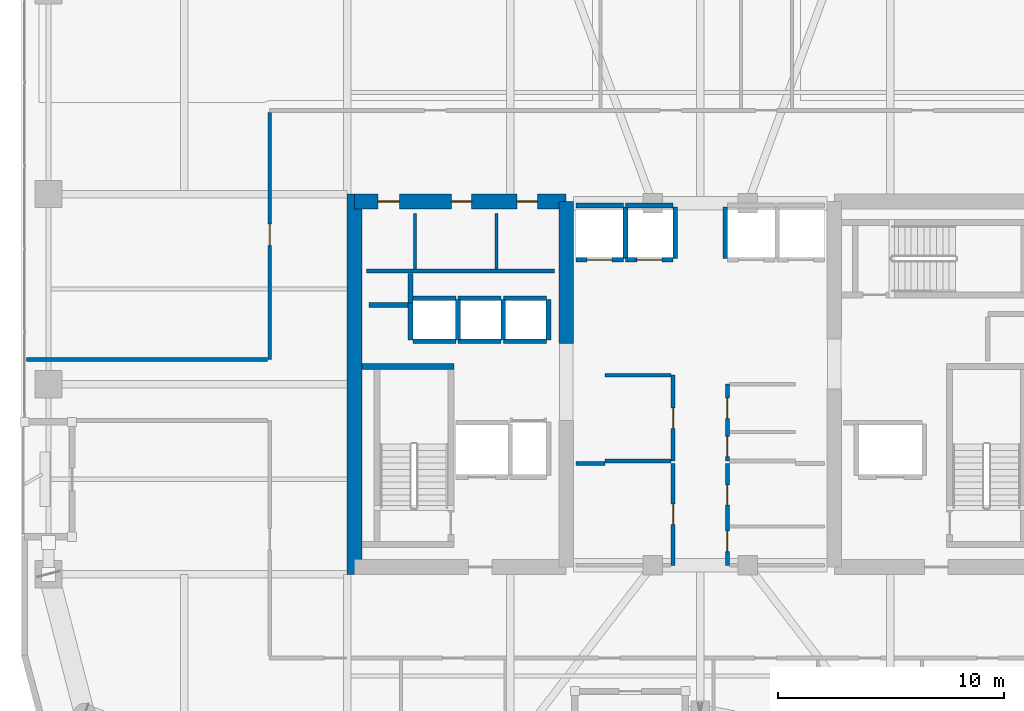
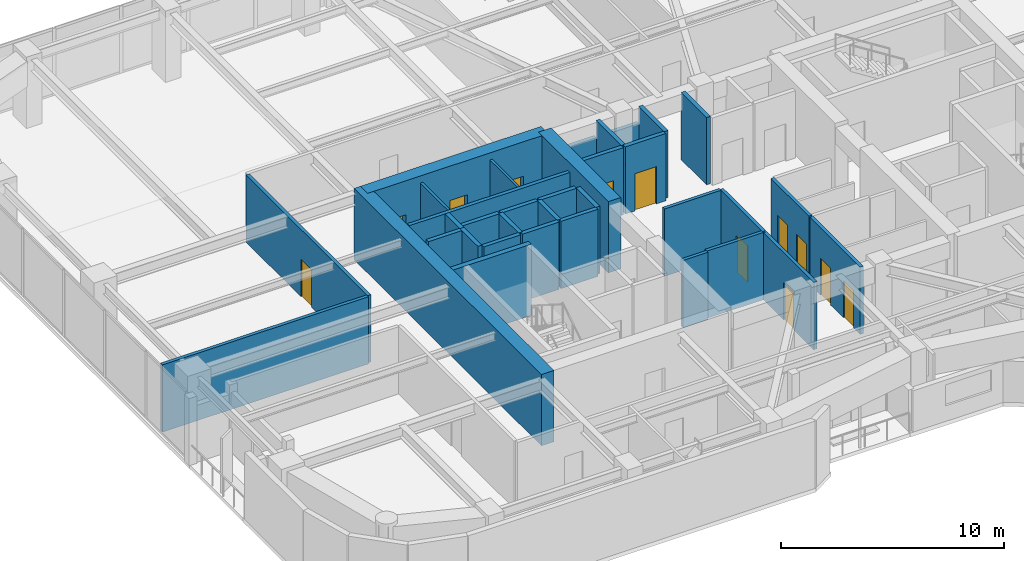
# One storey, part 25 of 30: 35 walls, 12 doors, 12 openings.
"""IFC4 building model written with IfcOpenShell, lengths in metres."""

from ifc_helpers import new_model, si_unit, direction, frame, frame_2d, origin, place, context, subcontext, project, spatial, rectangle, extrude, material, layer, layer_set, type_object, element, fill, save


model = new_model("IFC4")

# Units and contexts
model_context = context("Model", 3, precision=1e-05, world=origin(), true_north=direction((0.0, 1.0)))
body_context = subcontext(model_context, "Body", "Model", "MODEL_VIEW")
ifc_project = project(units=[si_unit("LENGTHUNIT", "METRE"), si_unit("AREAUNIT", "SQUARE_METRE"), si_unit("VOLUMEUNIT", "CUBIC_METRE"), si_unit("PLANEANGLEUNIT", "RADIAN"), si_unit("MASSUNIT", "GRAM", prefix="KILO")], contexts=[model_context])

# Site, building, storey
site_placement = place(None, origin())
site = spatial("IfcSite", under=ifc_project, at=site_placement, CompositionType="ELEMENT")
building_placement = place(site_placement, origin())
building = spatial("IfcBuilding", under=site, at=building_placement, Name="Kiyonajd Concourse Tower", CompositionType="ELEMENT")
storey_placement = place(building_placement, frame((0.0, 0.0, 201.89990234375)))
storey = spatial("IfcBuildingStorey", under=building, at=storey_placement, Name="L51", CompositionType="ELEMENT", Elevation=201.89990234375)

# Walls
ifc_material_1 = material(Name="Concrete C60/75", Category="concrete")
ifc_layer_1 = layer(ifc_material_1, 0.64990234375)
ifc_layer_set_1 = layer_set([ifc_layer_1], Name="Concrete C60/75")
wall_type_1 = type_object("IfcWallType", Name="WL-CORE-650", PredefinedType="SHEAR", material=ifc_layer_set_1)
wall_1_placement = place(storey_placement, frame((32.72509765625, 27.60009765625, 0.0), z_axis=(0.0, 0.0, 1.0), x_axis=(0.0, 1.0, 0.0)))
element("IfcWall", 1, at=wall_1_placement, inside=storey, type_object=wall_type_1, Name="L51 West Core Outer Shear Wall", PredefinedType="SHEAR", context=body_context, shape_type="SweptSolid", body=[
    extrude(rectangle(XDim=16.7998046875, YDim=0.64990234375, at=frame_2d((8.39990234375, 0.0))), origin(), (0.0, 0.0, 1.0), 3.900146484375),
])
wall_2_placement = place(storey_placement, frame((42.074951171875, 37.800048828125, 0.0), z_axis=(0.0, 0.0, 1.0), x_axis=(0.0, 1.0, 0.0)))
element("IfcWall", 2, at=wall_2_placement, inside=storey, type_object=wall_type_1, Name="L51 West Core Inner North Shear Wall", PredefinedType="SHEAR", context=body_context, shape_type="SweptSolid", body=[
    extrude(rectangle(XDim=6.27490234375, YDim=0.64990234375, at=frame_2d((3.137451171875, 0.0))), origin(), (0.0, 0.0, 1.0), 3.900146484375),
])

# Wall, openings, doors
wall_3_placement = place(storey_placement, frame((32.72509765625, 44.074951171875, 0.0), z_axis=(0.0, 0.0, 1.0), x_axis=(1.0, 0.0, 0.0)))
wall_3 = element("IfcWall", 3, at=wall_3_placement, inside=storey, type_object=wall_type_1, Name="L51 West Core North Shear Wall", PredefinedType="SHEAR", context=body_context, shape_type="SweptSolid", body=[
    extrude(rectangle(XDim=9.349853515625, YDim=0.64990234375, at=frame_2d((4.6748046875, 0.0))), origin(), (0.0, 0.0, 1.0), 3.900146484375),
])
opening_1_placement = place(wall_3_placement, frame((1.02490234375, 0.0, 0.0)))
opening_1 = element("IfcOpeningElement", 4, at=opening_1_placement, cuts=wall_3, Name="Opening DI1", PredefinedType="OPENING", context=body_context, shape_type="SweptSolid", body=[
    extrude(rectangle(XDim=0.949951171875, YDim=2.0400390625, at=frame_2d((0.47509765625, 1.02001953125))), frame((0.0, 0.3349609375, 0.0), z_axis=(0.0, -1.0, 0.0), x_axis=(1.0, 0.0, 0.0)), (0.0, 0.0, 1.0), 0.669921875),
])
opening_2_placement = place(wall_3_placement, frame((4.27490234375, 0.0, 0.0)))
opening_2 = element("IfcOpeningElement", 5, at=opening_2_placement, cuts=wall_3, Name="Opening DI2", PredefinedType="OPENING", context=body_context, shape_type="SweptSolid", body=[
    extrude(rectangle(XDim=0.89990234375, YDim=2.02001953125, at=frame_2d((0.449951171875, 1.010009765625))), frame((0.0, 0.3349609375, 0.0), z_axis=(0.0, -1.0, 0.0), x_axis=(1.0, 0.0, 0.0)), (0.0, 0.0, 1.0), 0.669921875),
])
opening_3_placement = place(wall_3_placement, frame((7.175048828125, 0.0, 0.0)))
opening_3 = element("IfcOpeningElement", 6, at=opening_3_placement, cuts=wall_3, Name="Opening DI2", PredefinedType="OPENING", context=body_context, shape_type="SweptSolid", body=[
    extrude(rectangle(XDim=0.89990234375, YDim=2.02001953125, at=frame_2d((0.449951171875, 1.010009765625))), frame((0.0, 0.3349609375, 0.0), z_axis=(0.0, -1.0, 0.0), x_axis=(1.0, 0.0, 0.0)), (0.0, 0.0, 1.0), 0.669921875),
])
ifc_material_2 = material(Name="Natural Oak Acoustic Timber Veneer", Category="wood")
door_type_1 = type_object("IfcDoorType", Name="DR-INT-900", OperationType="NOTDEFINED", PredefinedType="DOOR", material=ifc_material_2)
door_1_placement = place(opening_2_placement, origin())
door_1 = element("IfcDoor", 7, at=door_1_placement, inside=storey, type_object=door_type_1, Name="L51 Male Restroom Door", OperationType="SINGLE_SWING_RIGHT", OverallHeight=2.02001953125, OverallWidth=0.89990234375, PredefinedType="DOOR", context=body_context, shape_type="SweptSolid", body=[
    extrude(rectangle(XDim=0.89990234375, YDim=2.02001953125, at=frame_2d((0.449951171875, 1.010009765625))), frame((0.0, 0.02490234375, 0.0), z_axis=(0.0, -1.0, 0.0), x_axis=(1.0, 0.0, 0.0)), (0.0, 0.0, 1.0), 0.050048828125),
])
fill(opening_2, door_1)
door_2_placement = place(opening_3_placement, origin())
door_2 = element("IfcDoor", 8, at=door_2_placement, inside=storey, type_object=door_type_1, Name="L51 Female Restroom Door", OperationType="SINGLE_SWING_LEFT", OverallHeight=2.02001953125, OverallWidth=0.89990234375, PredefinedType="DOOR", context=body_context, shape_type="SweptSolid", body=[
    extrude(rectangle(XDim=0.89990234375, YDim=2.02001953125, at=frame_2d((0.449951171875, 1.010009765625))), frame((0.0, 0.02490234375, 0.0), z_axis=(0.0, -1.0, 0.0), x_axis=(1.0, 0.0, 0.0)), (0.0, 0.0, 1.0), 0.050048828125),
])
fill(opening_3, door_2)
door_type_2 = type_object("IfcDoorType", Name="DR-INT-950", OperationType="NOTDEFINED", PredefinedType="DOOR", material=ifc_material_2)
door_3_placement = place(opening_1_placement, origin())
door_3 = element("IfcDoor", 9, at=door_3_placement, inside=storey, type_object=door_type_2, Name="L51 Single User Accessible WC Door", OperationType="SINGLE_SWING_LEFT", OverallHeight=2.0400390625, OverallWidth=0.949951171875, PredefinedType="DOOR", context=body_context, shape_type="SweptSolid", body=[
    extrude(rectangle(XDim=0.949951171875, YDim=2.0400390625, at=frame_2d((0.47509765625, 1.02001953125))), frame((0.0, 0.02490234375, 0.0), z_axis=(0.0, -1.0, 0.0), x_axis=(1.0, 0.0, 0.0)), (0.0, 0.0, 1.0), 0.050048828125),
])
fill(opening_1, door_3)

# Walls
ifc_material_3 = material(Name="Gypsum Board on Cold-Formed Steel Stud", Category="steel")
ifc_layer_2 = layer(ifc_material_3, 0.125)
ifc_layer_set_2 = layer_set([ifc_layer_2], Name="Gypsum Board on Cold-Formed Steel Stud")
wall_type_2 = type_object("IfcWallType", Name="WL-PART-125", PredefinedType="PARTITIONING", material=ifc_layer_set_2)
for number, where, z_axis, x_axis, name in (
    (10, (35.39990234375, 41.094970703125, 0.0), (0.0, 0.0, 1.0), (0.0, 1.0, 0.0), "L51 Interior Partition Wall"),
    (11, (39.0, 41.094970703125, 0.0), (0.0, 0.0, 1.0), (0.0, 1.0, 0.0), "L51 Interior Partition Wall"),
):
    element("IfcWall", number, at=place(storey_placement, frame(where, z_axis=z_axis, x_axis=x_axis)), inside=storey, type_object=wall_type_2, Name=name, PredefinedType="PARTITIONING", context=body_context, shape_type="SweptSolid", body=[
        extrude(rectangle(XDim=2.455078125, YDim=0.125, at=frame_2d((1.2275390625, 0.0))), origin(), (0.0, 0.0, 1.0), 3.68017578125),
    ])
ifc_layer_3 = layer(ifc_material_3, 0.18994140625)
ifc_layer_set_3 = layer_set([ifc_layer_3], Name="Gypsum Board on Cold-Formed Steel Stud")
wall_type_3 = type_object("IfcWallType", Name="WL-PLMB-190", PredefinedType="PLUMBINGWALL", material=ifc_layer_set_3)
wall_4_placement = place(storey_placement, frame((33.25, 41.0, 0.0), z_axis=(0.0, 0.0, 1.0), x_axis=(1.0, 0.0, 0.0)))
element("IfcWall", 12, at=wall_4_placement, inside=storey, type_object=wall_type_3, Name="L51 Interior Partition Wall", PredefinedType="PLUMBINGWALL", context=body_context, shape_type="SweptSolid", body=[
    extrude(rectangle(XDim=8.300048828125, YDim=0.18994140625, at=frame_2d((4.14990234375, 0.0))), origin(), (0.0, 0.0, 1.0), 3.68017578125),
])
ifc_layer_4 = layer(ifc_material_3, 0.2099609375)
ifc_layer_set_4 = layer_set([ifc_layer_4], Name="Gypsum Board on Cold-Formed Steel Stud")
wall_type_4 = type_object("IfcWallType", Name="WL-SHAFT-210", PredefinedType="PARTITIONING", material=ifc_layer_set_4)
wall_5_placement = place(storey_placement, frame((33.360107421875, 39.5, 0.0), z_axis=(0.0, 0.0, 1.0), x_axis=(1.0, 0.0, 0.0)))
element("IfcWall", 13, at=wall_5_placement, inside=storey, type_object=wall_type_4, Name="L51 Shaft Enclosure Wall", PredefinedType="PARTITIONING", context=body_context, shape_type="SweptSolid", body=[
    extrude(rectangle(XDim=1.85986328125, YDim=0.2099609375, at=frame_2d((0.929931640625, 0.0))), origin(), (0.0, 0.0, 1.0), 3.68017578125),
])
wall_6_placement = place(storey_placement, frame((35.199951171875, 39.580078125, 0.0), z_axis=(0.0, 0.0, 1.0), x_axis=(0.0, 1.0, 0.0)))
element("IfcWall", 14, at=wall_6_placement, inside=storey, type_object=wall_type_4, Name="L51 Shaft Enclosure Wall", PredefinedType="PARTITIONING", context=body_context, shape_type="SweptSolid", body=[
    extrude(rectangle(XDim=1.31982421875, YDim=0.2099609375, at=frame_2d((0.659912109375, 0.0))), origin(), (0.0, 0.0, 1.0), 3.68017578125),
])

# Wall, opening, door
wall_7_placement = place(storey_placement, frame((42.5, 41.5, 0.0), z_axis=(0.0, 0.0, 1.0), x_axis=(1.0, 0.0, 0.0)))
wall_7 = element("IfcWall", 15, at=wall_7_placement, inside=storey, type_object=wall_type_4, Name="L51 Shaft Enclosure Wall", PredefinedType="PARTITIONING", context=body_context, shape_type="SweptSolid", body=[
    extrude(rectangle(XDim=2.10009765625, YDim=0.2099609375, at=frame_2d((1.050048828125, 0.0))), origin(), (0.0, 0.0, 1.0), 3.68017578125),
])
opening_4_placement = place(wall_7_placement, frame((0.5, 0.0, 0.0)))
opening_4 = element("IfcOpeningElement", 16, at=opening_4_placement, cuts=wall_7, Name="Opening LD1", PredefinedType="OPENING", context=body_context, shape_type="SweptSolid", body=[
    extrude(rectangle(XDim=1.10009765625, YDim=2.0400390625, at=frame_2d((0.550048828125, 1.02001953125))), frame((0.0, 0.114990234375, 0.0), z_axis=(0.0, -1.0, 0.0), x_axis=(1.0, 0.0, 0.0)), (0.0, 0.0, 1.0), 0.22998046875),
])
ifc_material_4 = material(Name="Brushed Stainless Steel Cab Assembly", Category="steel")
door_type_3 = type_object("IfcDoorType", Name="DR-LD-1100", OperationType="DOUBLE_DOOR_SLIDING", PredefinedType="DOOR", material=ifc_material_4)
door_4_placement = place(opening_4_placement, origin())
door_4 = element("IfcDoor", 17, at=door_4_placement, inside=storey, type_object=door_type_3, Name="L51 Lift PL-M1 Sliding Landing Door", OperationType="DOUBLE_DOOR_SLIDING", OverallHeight=2.0400390625, OverallWidth=1.10009765625, PredefinedType="DOOR", context=body_context, shape_type="SweptSolid", body=[
    extrude(rectangle(XDim=1.10009765625, YDim=2.0400390625, at=frame_2d((0.550048828125, 1.02001953125))), frame((0.0, 0.02490234375, 0.0), z_axis=(0.0, -1.0, 0.0), x_axis=(1.0, 0.0, 0.0)), (0.0, 0.0, 1.0), 0.050048828125),
])
fill(opening_4, door_4)

# Walls
wall_8_placement = place(storey_placement, frame((42.5, 43.89990234375, 0.0), z_axis=(0.0, 0.0, 1.0), x_axis=(1.0, 0.0, 0.0)))
element("IfcWall", 18, at=wall_8_placement, inside=storey, type_object=wall_type_4, Name="L51 Shaft Enclosure Wall", PredefinedType="PARTITIONING", context=body_context, shape_type="SweptSolid", body=[
    extrude(rectangle(XDim=2.10009765625, YDim=0.2099609375, at=frame_2d((1.050048828125, 0.0))), origin(), (0.0, 0.0, 1.0), 2.76513671875),
])
wall_9_placement = place(storey_placement, frame((44.699951171875, 41.56005859375, 0.0), z_axis=(0.0, 0.0, 1.0), x_axis=(0.0, 1.0, 0.0)))
element("IfcWall", 19, at=wall_9_placement, inside=storey, type_object=wall_type_4, Name="L51 Shaft Enclosure Wall", PredefinedType="PARTITIONING", context=body_context, shape_type="SweptSolid", body=[
    extrude(rectangle(XDim=2.280029296875, YDim=0.2099609375, at=frame_2d((1.14013671875, 0.0))), origin(), (0.0, 0.0, 1.0), 3.68017578125),
])

# Wall, opening, door
wall_10_placement = place(storey_placement, frame((44.699951171875, 41.5, 0.0), z_axis=(0.0, 0.0, 1.0), x_axis=(1.0, 0.0, 0.0)))
wall_10 = element("IfcWall", 20, at=wall_10_placement, inside=storey, type_object=wall_type_4, Name="L51 Shaft Enclosure Wall", PredefinedType="PARTITIONING", context=body_context, shape_type="SweptSolid", body=[
    extrude(rectangle(XDim=2.10009765625, YDim=0.2099609375, at=frame_2d((1.050048828125, 0.0))), origin(), (0.0, 0.0, 1.0), 3.68017578125),
])
opening_5_placement = place(wall_10_placement, frame((0.5, 0.0, 0.0)))
opening_5 = element("IfcOpeningElement", 21, at=opening_5_placement, cuts=wall_10, Name="Opening LD1", PredefinedType="OPENING", context=body_context, shape_type="SweptSolid", body=[
    extrude(rectangle(XDim=1.10009765625, YDim=2.0400390625, at=frame_2d((0.550048828125, 1.02001953125))), frame((0.0, 0.114990234375, 0.0), z_axis=(0.0, -1.0, 0.0), x_axis=(1.0, 0.0, 0.0)), (0.0, 0.0, 1.0), 0.22998046875),
])
door_5_placement = place(opening_5_placement, origin())
door_5 = element("IfcDoor", 22, at=door_5_placement, inside=storey, type_object=door_type_3, Name="L51 Lift PL-M2 Sliding Landing Door", OperationType="DOUBLE_DOOR_SLIDING", OverallHeight=2.0400390625, OverallWidth=1.10009765625, PredefinedType="DOOR", context=body_context, shape_type="SweptSolid", body=[
    extrude(rectangle(XDim=1.10009765625, YDim=2.0400390625, at=frame_2d((0.550048828125, 1.02001953125))), frame((0.0, 0.02490234375, 0.0), z_axis=(0.0, -1.0, 0.0), x_axis=(1.0, 0.0, 0.0)), (0.0, 0.0, 1.0), 0.050048828125),
])
fill(opening_5, door_5)

# Walls
wall_11_placement = place(storey_placement, frame((44.699951171875, 43.89990234375, 0.0), z_axis=(0.0, 0.0, 1.0), x_axis=(1.0, 0.0, 0.0)))
element("IfcWall", 23, at=wall_11_placement, inside=storey, type_object=wall_type_4, Name="L51 Shaft Enclosure Wall", PredefinedType="PARTITIONING", context=body_context, shape_type="SweptSolid", body=[
    extrude(rectangle(XDim=2.10009765625, YDim=0.2099609375, at=frame_2d((1.050048828125, 0.0))), origin(), (0.0, 0.0, 1.0), 2.76513671875),
])
for number, where, z_axis, x_axis, name in (
    (24, (46.89990234375, 41.56005859375, 0.0), (0.0, 0.0, 1.0), (0.0, 1.0, 0.0), "L51 Shaft Enclosure Wall"),
    (25, (49.10009765625, 41.56005859375, 0.0), (0.0, 0.0, 1.0), (0.0, 1.0, 0.0), "L51 Shaft Enclosure Wall"),
):
    element("IfcWall", number, at=place(storey_placement, frame(where, z_axis=z_axis, x_axis=x_axis)), inside=storey, type_object=wall_type_4, Name=name, PredefinedType="PARTITIONING", context=body_context, shape_type="SweptSolid", body=[
        extrude(rectangle(XDim=2.280029296875, YDim=0.2099609375, at=frame_2d((1.14013671875, 0.0))), origin(), (0.0, 0.0, 1.0), 3.68017578125),
    ])
for number, where, z_axis, x_axis, name in (
    (26, (35.300048828125, 37.89990234375, 0.0), (0.0, 0.0, 1.0), (1.0, 0.0, 0.0), "L51 Shaft Enclosure Wall"),
    (27, (35.300048828125, 39.800048828125, 0.0), (0.0, 0.0, 1.0), (1.0, 0.0, 0.0), "L51 Shaft Enclosure Wall"),
):
    element("IfcWall", number, at=place(storey_placement, frame(where, z_axis=z_axis, x_axis=x_axis)), inside=storey, type_object=wall_type_4, Name=name, PredefinedType="PARTITIONING", context=body_context, shape_type="SweptSolid", body=[
        extrude(rectangle(XDim=1.89990234375, YDim=0.2099609375, at=frame_2d((0.949951171875, 0.0))), origin(), (0.0, 0.0, 1.0), 3.68017578125),
    ])
wall_12_placement = place(storey_placement, frame((35.199951171875, 37.9599609375, 0.0), z_axis=(0.0, 0.0, 1.0), x_axis=(0.0, 1.0, 0.0)))
element("IfcWall", 28, at=wall_12_placement, inside=storey, type_object=wall_type_4, Name="L51 Shaft Enclosure Wall", PredefinedType="PARTITIONING", context=body_context, shape_type="SweptSolid", body=[
    extrude(rectangle(XDim=1.6201171875, YDim=0.2099609375, at=frame_2d((0.81005859375, 0.0))), origin(), (0.0, 0.0, 1.0), 3.68017578125),
])
wall_13_placement = place(storey_placement, frame((37.300048828125, 37.9599609375, 0.0), z_axis=(0.0, 0.0, 1.0), x_axis=(0.0, 1.0, 0.0)))
element("IfcWall", 29, at=wall_13_placement, inside=storey, type_object=wall_type_4, Name="L51 Shaft Enclosure Wall", PredefinedType="PARTITIONING", context=body_context, shape_type="SweptSolid", body=[
    extrude(rectangle(XDim=1.780029296875, YDim=0.2099609375, at=frame_2d((0.89013671875, 0.0))), origin(), (0.0, 0.0, 1.0), 3.68017578125),
])
for number, where, z_axis, x_axis, name in (
    (30, (37.300048828125, 37.89990234375, 0.0), (0.0, 0.0, 1.0), (1.0, 0.0, 0.0), "L51 Shaft Enclosure Wall"),
    (31, (37.300048828125, 39.800048828125, 0.0), (0.0, 0.0, 1.0), (1.0, 0.0, 0.0), "L51 Shaft Enclosure Wall"),
):
    element("IfcWall", number, at=place(storey_placement, frame(where, z_axis=z_axis, x_axis=x_axis)), inside=storey, type_object=wall_type_4, Name=name, PredefinedType="PARTITIONING", context=body_context, shape_type="SweptSolid", body=[
        extrude(rectangle(XDim=1.89990234375, YDim=0.2099609375, at=frame_2d((0.949951171875, 0.0))), origin(), (0.0, 0.0, 1.0), 3.68017578125),
    ])
wall_14_placement = place(storey_placement, frame((39.300048828125, 37.9599609375, 0.0), z_axis=(0.0, 0.0, 1.0), x_axis=(0.0, 1.0, 0.0)))
element("IfcWall", 32, at=wall_14_placement, inside=storey, type_object=wall_type_4, Name="L51 Shaft Enclosure Wall", PredefinedType="PARTITIONING", context=body_context, shape_type="SweptSolid", body=[
    extrude(rectangle(XDim=1.780029296875, YDim=0.2099609375, at=frame_2d((0.89013671875, 0.0))), origin(), (0.0, 0.0, 1.0), 3.68017578125),
])
for number, where, z_axis, x_axis, name in (
    (33, (39.300048828125, 37.89990234375, 0.0), (0.0, 0.0, 1.0), (1.0, 0.0, 0.0), "L51 Shaft Enclosure Wall"),
    (34, (39.300048828125, 39.800048828125, 0.0), (0.0, 0.0, 1.0), (1.0, 0.0, 0.0), "L51 Shaft Enclosure Wall"),
):
    element("IfcWall", number, at=place(storey_placement, frame(where, z_axis=z_axis, x_axis=x_axis)), inside=storey, type_object=wall_type_4, Name=name, PredefinedType="PARTITIONING", context=body_context, shape_type="SweptSolid", body=[
        extrude(rectangle(XDim=1.89990234375, YDim=0.2099609375, at=frame_2d((0.949951171875, 0.0))), origin(), (0.0, 0.0, 1.0), 3.68017578125),
    ])
wall_15_placement = place(storey_placement, frame((41.300048828125, 37.9599609375, 0.0), z_axis=(0.0, 0.0, 1.0), x_axis=(0.0, 1.0, 0.0)))
element("IfcWall", 35, at=wall_15_placement, inside=storey, type_object=wall_type_4, Name="L51 Shaft Enclosure Wall", PredefinedType="PARTITIONING", context=body_context, shape_type="SweptSolid", body=[
    extrude(rectangle(XDim=1.780029296875, YDim=0.2099609375, at=frame_2d((0.89013671875, 0.0))), origin(), (0.0, 0.0, 1.0), 3.68017578125),
])

# Wall, opening, door
ifc_layer_5 = layer(ifc_material_3, 0.169921875)
ifc_layer_set_5 = layer_set([ifc_layer_5], Name="Gypsum Board on Cold-Formed Steel Stud")
wall_type_5 = type_object("IfcWallType", Name="WL-SMK-170", PredefinedType="PARTITIONING", material=ifc_layer_set_5)
wall_16_placement = place(storey_placement, frame((46.800048828125, 32.60009765625, 0.0), z_axis=(0.0, 0.0, 1.0), x_axis=(0.0, 1.0, 0.0)))
wall_16 = element("IfcWall", 36, at=wall_16_placement, inside=storey, type_object=wall_type_5, Name="L51 Interior Partition Wall", PredefinedType="PARTITIONING", context=body_context, shape_type="SweptSolid", body=[
    extrude(rectangle(XDim=3.7998046875, YDim=0.169921875, at=frame_2d((1.89990234375, 0.0))), origin(), (0.0, 0.0, 1.0), 3.68017578125),
])
opening_6_placement = place(wall_16_placement, frame((1.449951171875, 0.0, 0.0)))
opening_6 = element("IfcOpeningElement", 37, at=opening_6_placement, cuts=wall_16, Name="Opening DI2", PredefinedType="OPENING", context=body_context, shape_type="SweptSolid", body=[
    extrude(rectangle(XDim=0.89990234375, YDim=2.02001953125, at=frame_2d((0.449951171875, 1.010009765625))), frame((0.0, 0.094970703125, 0.0), z_axis=(0.0, -1.0, 0.0), x_axis=(1.0, 0.0, 0.0)), (0.0, 0.0, 1.0), 0.18994140625),
])
door_6_placement = place(opening_6_placement, origin())
door_6 = element("IfcDoor", 38, at=door_6_placement, inside=storey, type_object=door_type_1, Name="L51 Interior Door", OperationType="SINGLE_SWING_RIGHT", OverallHeight=2.02001953125, OverallWidth=0.89990234375, PredefinedType="DOOR", context=body_context, shape_type="SweptSolid", body=[
    extrude(rectangle(XDim=0.89990234375, YDim=2.02001953125, at=frame_2d((0.449951171875, 1.010009765625))), frame((0.0, 0.02490234375, 0.0), z_axis=(0.0, -1.0, 0.0), x_axis=(1.0, 0.0, 0.0)), (0.0, 0.0, 1.0), 0.050048828125),
])
fill(opening_6, door_6)

# Walls
for number, where, z_axis, x_axis, name in (
    (39, (43.800048828125, 32.60009765625, 0.0), (0.0, 0.0, 1.0), (1.0, 0.0, 0.0), "L51 Interior Partition Wall"),
    (40, (43.800048828125, 36.39990234375, 0.0), (0.0, 0.0, 1.0), (1.0, 0.0, 0.0), "L51 Interior Partition Wall"),
):
    element("IfcWall", number, at=place(storey_placement, frame(where, z_axis=z_axis, x_axis=x_axis)), inside=storey, type_object=wall_type_5, Name=name, PredefinedType="PARTITIONING", context=body_context, shape_type="SweptSolid", body=[
        extrude(rectangle(XDim=2.912841796875, YDim=0.169921875, at=frame_2d((1.45654296875, 0.0))), origin(), (0.0, 0.0, 1.0), 3.68017578125),
    ])

# Wall, openings, doors
wall_17_placement = place(storey_placement, frame((49.199951171875, 32.60009765625, 0.0), z_axis=(0.0, 0.0, 1.0), x_axis=(0.0, 1.0, 0.0)))
wall_17 = element("IfcWall", 41, at=wall_17_placement, inside=storey, type_object=wall_type_5, Name="L51 Interior Partition Wall", PredefinedType="PARTITIONING", context=body_context, shape_type="SweptSolid", body=[
    extrude(rectangle(XDim=3.39990234375, YDim=0.169921875, at=frame_2d((1.699951171875, 0.0))), origin(), (0.0, 0.0, 1.0), 3.68017578125),
])
opening_7_placement = place(wall_17_placement, frame((0.196044921875, 0.0, 0.0)))
opening_7 = element("IfcOpeningElement", 42, at=opening_7_placement, cuts=wall_17, Name="Opening DI2", PredefinedType="OPENING", context=body_context, shape_type="SweptSolid", body=[
    extrude(rectangle(XDim=0.89990234375, YDim=2.02001953125, at=frame_2d((0.449951171875, 1.010009765625))), frame((0.0, 0.094970703125, 0.0), z_axis=(0.0, -1.0, 0.0), x_axis=(1.0, 0.0, 0.0)), (0.0, 0.0, 1.0), 0.18994140625),
])
opening_8_placement = place(wall_17_placement, frame((1.89599609375, 0.0, 0.0)))
opening_8 = element("IfcOpeningElement", 43, at=opening_8_placement, cuts=wall_17, Name="Opening DI2", PredefinedType="OPENING", context=body_context, shape_type="SweptSolid", body=[
    extrude(rectangle(XDim=0.89990234375, YDim=2.02001953125, at=frame_2d((0.449951171875, 1.010009765625))), frame((0.0, 0.094970703125, 0.0), z_axis=(0.0, -1.0, 0.0), x_axis=(1.0, 0.0, 0.0)), (0.0, 0.0, 1.0), 0.18994140625),
])
door_7_placement = place(opening_7_placement, origin())
door_7 = element("IfcDoor", 44, at=door_7_placement, inside=storey, type_object=door_type_1, Name="L51 Interior Door", OperationType="SINGLE_SWING_LEFT", OverallHeight=2.02001953125, OverallWidth=0.89990234375, PredefinedType="DOOR", context=body_context, shape_type="SweptSolid", body=[
    extrude(rectangle(XDim=0.89990234375, YDim=2.02001953125, at=frame_2d((0.449951171875, 1.010009765625))), frame((0.0, 0.02490234375, 0.0), z_axis=(0.0, -1.0, 0.0), x_axis=(1.0, 0.0, 0.0)), (0.0, 0.0, 1.0), 0.050048828125),
])
fill(opening_7, door_7)
door_8_placement = place(opening_8_placement, origin())
door_8 = element("IfcDoor", 45, at=door_8_placement, inside=storey, type_object=door_type_1, Name="L51 Interior Door", OperationType="SINGLE_SWING_RIGHT", OverallHeight=2.02001953125, OverallWidth=0.89990234375, PredefinedType="DOOR", context=body_context, shape_type="SweptSolid", body=[
    extrude(rectangle(XDim=0.89990234375, YDim=2.02001953125, at=frame_2d((0.449951171875, 1.010009765625))), frame((0.0, 0.02490234375, 0.0), z_axis=(0.0, -1.0, 0.0), x_axis=(1.0, 0.0, 0.0)), (0.0, 0.0, 1.0), 0.050048828125),
])
fill(opening_8, door_8)

# Wall, opening, door
wall_18_placement = place(storey_placement, frame((46.800048828125, 28.0, 0.0), z_axis=(0.0, 0.0, 1.0), x_axis=(0.0, 1.0, 0.0)))
wall_18 = element("IfcWall", 46, at=wall_18_placement, inside=storey, type_object=wall_type_5, Name="L51 Interior Partition Wall", PredefinedType="PARTITIONING", context=body_context, shape_type="SweptSolid", body=[
    extrude(rectangle(XDim=4.5, YDim=0.169921875, at=frame_2d((2.25, 0.0))), origin(), (0.0, 0.0, 1.0), 3.68017578125),
])
opening_9_placement = place(wall_18_placement, frame((1.800048828125, 0.0, 0.0)))
opening_9 = element("IfcOpeningElement", 47, at=opening_9_placement, cuts=wall_18, Name="Opening DI2", PredefinedType="OPENING", context=body_context, shape_type="SweptSolid", body=[
    extrude(rectangle(XDim=0.89990234375, YDim=2.02001953125, at=frame_2d((0.449951171875, 1.010009765625))), frame((0.0, 0.094970703125, 0.0), z_axis=(0.0, -1.0, 0.0), x_axis=(1.0, 0.0, 0.0)), (0.0, 0.0, 1.0), 0.18994140625),
])
door_9_placement = place(opening_9_placement, origin())
door_9 = element("IfcDoor", 48, at=door_9_placement, inside=storey, type_object=door_type_1, Name="L51 Interior Door", OperationType="SINGLE_SWING_LEFT", OverallHeight=2.02001953125, OverallWidth=0.89990234375, PredefinedType="DOOR", context=body_context, shape_type="SweptSolid", body=[
    extrude(rectangle(XDim=0.89990234375, YDim=2.02001953125, at=frame_2d((0.449951171875, 1.010009765625))), frame((0.0, 0.02490234375, 0.0), z_axis=(0.0, -1.0, 0.0), x_axis=(1.0, 0.0, 0.0)), (0.0, 0.0, 1.0), 0.050048828125),
])
fill(opening_9, door_9)

# Wall
wall_19_placement = place(storey_placement, frame((42.5, 32.5, 0.0), z_axis=(0.0, 0.0, 1.0), x_axis=(1.0, 0.0, 0.0)))
element("IfcWall", 49, at=wall_19_placement, inside=storey, type_object=wall_type_5, Name="L51 Interior Partition Wall", PredefinedType="PARTITIONING", context=body_context, shape_type="SweptSolid", body=[
    extrude(rectangle(XDim=1.300048828125, YDim=0.169921875, at=frame_2d((0.64990234375, 0.0))), origin(), (0.0, 0.0, 1.0), 3.68017578125),
])

# Wall, openings, doors
wall_20_placement = place(storey_placement, frame((49.199951171875, 28.0, 0.0), z_axis=(0.0, 0.0, 1.0), x_axis=(0.0, 1.0, 0.0)))
wall_20 = element("IfcWall", 50, at=wall_20_placement, inside=storey, type_object=wall_type_5, Name="L51 Interior Partition Wall", PredefinedType="PARTITIONING", context=body_context, shape_type="SweptSolid", body=[
    extrude(rectangle(XDim=4.5, YDim=0.169921875, at=frame_2d((2.25, 0.0))), origin(), (0.0, 0.0, 1.0), 3.68017578125),
])
opening_10_placement = place(wall_20_placement, frame((0.60498046875, 0.0, 0.0)))
opening_10 = element("IfcOpeningElement", 51, at=opening_10_placement, cuts=wall_20, Name="Opening DI2", PredefinedType="OPENING", context=body_context, shape_type="SweptSolid", body=[
    extrude(rectangle(XDim=0.89990234375, YDim=2.02001953125, at=frame_2d((0.449951171875, 1.010009765625))), frame((0.0, 0.094970703125, 0.0), z_axis=(0.0, -1.0, 0.0), x_axis=(1.0, 0.0, 0.0)), (0.0, 0.0, 1.0), 0.18994140625),
])
opening_11_placement = place(wall_20_placement, frame((2.655029296875, 0.0, 0.0)))
opening_11 = element("IfcOpeningElement", 52, at=opening_11_placement, cuts=wall_20, Name="Opening DI2", PredefinedType="OPENING", context=body_context, shape_type="SweptSolid", body=[
    extrude(rectangle(XDim=0.89990234375, YDim=2.02001953125, at=frame_2d((0.449951171875, 1.010009765625))), frame((0.0, 0.094970703125, 0.0), z_axis=(0.0, -1.0, 0.0), x_axis=(1.0, 0.0, 0.0)), (0.0, 0.0, 1.0), 0.18994140625),
])
door_10_placement = place(opening_10_placement, origin())
door_10 = element("IfcDoor", 53, at=door_10_placement, inside=storey, type_object=door_type_1, Name="L51 Interior Door", OperationType="SINGLE_SWING_RIGHT", OverallHeight=2.02001953125, OverallWidth=0.89990234375, PredefinedType="DOOR", context=body_context, shape_type="SweptSolid", body=[
    extrude(rectangle(XDim=0.89990234375, YDim=2.02001953125, at=frame_2d((0.449951171875, 1.010009765625))), frame((0.0, 0.02490234375, 0.0), z_axis=(0.0, -1.0, 0.0), x_axis=(1.0, 0.0, 0.0)), (0.0, 0.0, 1.0), 0.050048828125),
])
fill(opening_10, door_10)
door_11_placement = place(opening_11_placement, origin())
door_11 = element("IfcDoor", 54, at=door_11_placement, inside=storey, type_object=door_type_1, Name="L51 Interior Door", OperationType="SINGLE_SWING_LEFT", OverallHeight=2.02001953125, OverallWidth=0.89990234375, PredefinedType="DOOR", context=body_context, shape_type="SweptSolid", body=[
    extrude(rectangle(XDim=0.89990234375, YDim=2.02001953125, at=frame_2d((0.449951171875, 1.010009765625))), frame((0.0, 0.02490234375, 0.0), z_axis=(0.0, -1.0, 0.0), x_axis=(1.0, 0.0, 0.0)), (0.0, 0.0, 1.0), 0.050048828125),
])
fill(opening_11, door_11)

# Wall, opening, door
wall_21_placement = place(storey_placement, frame((28.97509765625, 37.10009765625, 0.0), z_axis=(0.0, 0.0, 1.0), x_axis=(0.0, 1.0, 0.0)))
wall_21 = element("IfcWall", 55, at=wall_21_placement, inside=storey, type_object=wall_type_5, Name="L51 Interior Partition Wall", PredefinedType="PARTITIONING", context=body_context, shape_type="SweptSolid", body=[
    extrude(rectangle(XDim=10.912841796875, YDim=0.169921875, at=frame_2d((5.45654296875, 0.0))), origin(), (0.0, 0.0, 1.0), 3.68017578125),
])
opening_12_placement = place(wall_21_placement, frame((5.02490234375, 0.0, 0.0)))
opening_12 = element("IfcOpeningElement", 56, at=opening_12_placement, cuts=wall_21, Name="Opening DI1", PredefinedType="OPENING", context=body_context, shape_type="SweptSolid", body=[
    extrude(rectangle(XDim=0.949951171875, YDim=2.0400390625, at=frame_2d((0.47509765625, 1.02001953125))), frame((0.0, 0.094970703125, 0.0), z_axis=(0.0, -1.0, 0.0), x_axis=(1.0, 0.0, 0.0)), (0.0, 0.0, 1.0), 0.18994140625),
])
door_12_placement = place(opening_12_placement, origin())
door_12 = element("IfcDoor", 57, at=door_12_placement, inside=storey, type_object=door_type_2, Name="L51 Interior Door", OperationType="SINGLE_SWING_LEFT", OverallHeight=2.0400390625, OverallWidth=0.949951171875, PredefinedType="DOOR", context=body_context, shape_type="SweptSolid", body=[
    extrude(rectangle(XDim=0.949951171875, YDim=2.0400390625, at=frame_2d((0.47509765625, 1.02001953125))), frame((0.0, 0.02490234375, 0.0), z_axis=(0.0, -1.0, 0.0), x_axis=(1.0, 0.0, 0.0)), (0.0, 0.0, 1.0), 0.050048828125),
])
fill(opening_12, door_12)

# Walls
wall_22_placement = place(storey_placement, frame((18.22509765625, 37.10009765625, 0.0), z_axis=(0.0, 0.0, 1.0), x_axis=(1.0, 0.0, 0.0)))
element("IfcWall", 58, at=wall_22_placement, inside=storey, type_object=wall_type_5, Name="L51 Interior Partition Wall", PredefinedType="PARTITIONING", context=body_context, shape_type="SweptSolid", body=[
    extrude(rectangle(XDim=10.662841796875, YDim=0.169921875, at=frame_2d((5.33154296875, 0.0))), origin(), (0.0, 0.0, 1.0), 3.68017578125),
])
ifc_material_5 = material(Name="Concrete C50/60", Category="concrete")
ifc_layer_6 = layer(ifc_material_5, 0.260009765625)
ifc_layer_set_6 = layer_set([ifc_layer_6], Name="Concrete C50/60")
wall_type_6 = type_object("IfcWallType", Name="WL-STAIR-260", PredefinedType="SHEAR", material=ifc_layer_set_6)
wall_23_placement = place(storey_placement, frame((33.050048828125, 36.780029296875, 0.0), z_axis=(0.0, 0.0, 1.0), x_axis=(1.0, 0.0, 0.0)))
element("IfcWall", 59, at=wall_23_placement, inside=storey, type_object=wall_type_6, Name="L51 Stair ST1 Structural North Wall", PredefinedType="SHEAR", context=body_context, shape_type="SweptSolid", body=[
    extrude(rectangle(XDim=4.06005859375, YDim=0.260009765625, at=frame_2d((2.030029296875, 0.0))), origin(), (0.0, 0.0, 1.0), 3.900146484375),
])

save(model, "model.ifc")
